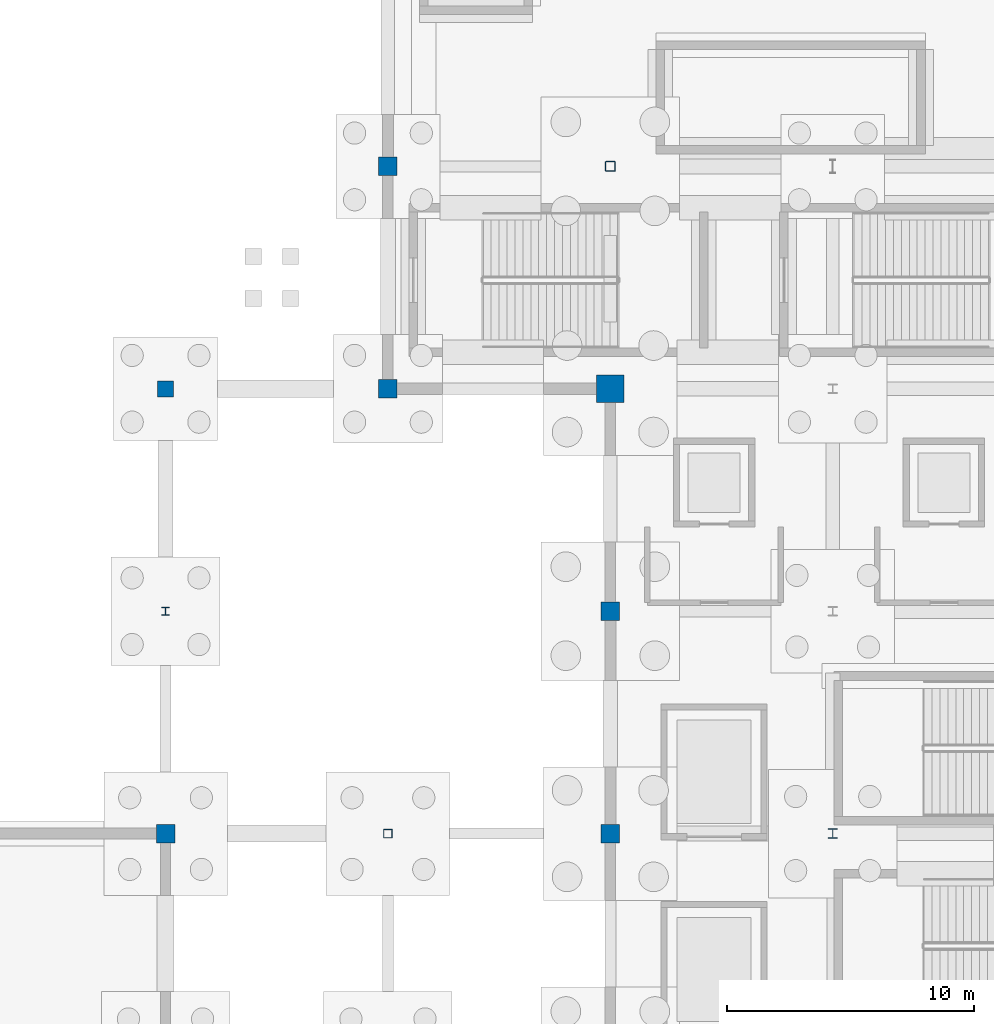
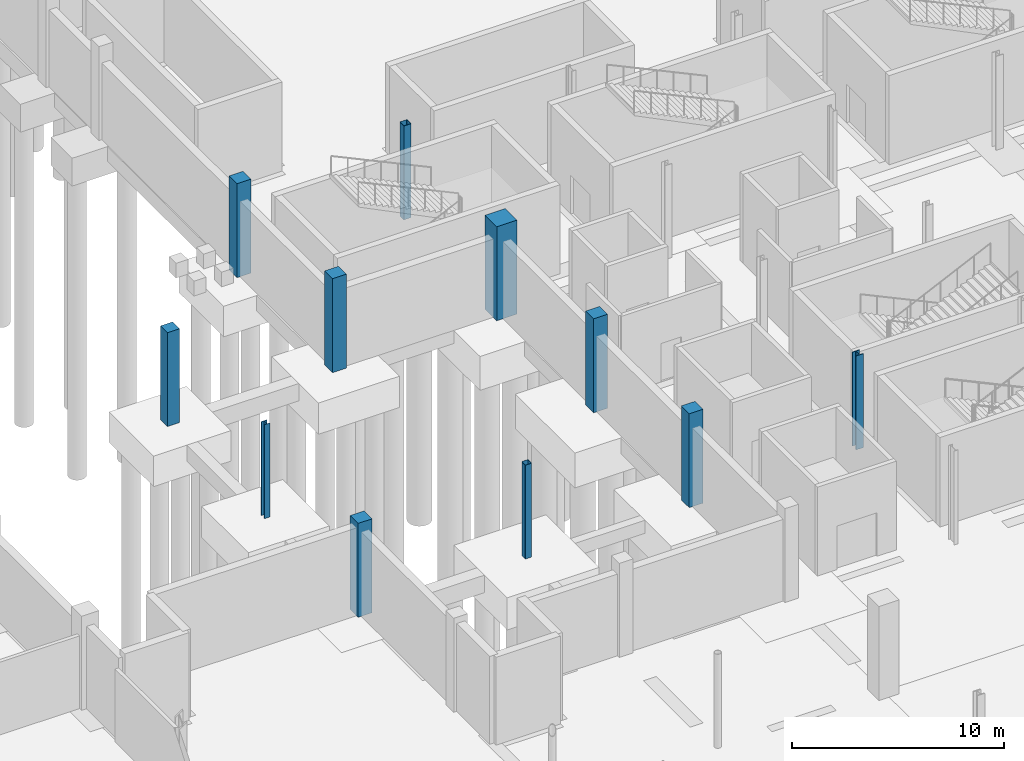
# One storey, part 31 of 58: 11 columns.
"""IFC4 building model written with IfcOpenShell, lengths in metres."""

from ifc_helpers import new_model, si_unit, direction, frame, origin, origin_2d, place, context, subcontext, project, spatial, rectangle, hollow_rectangle, i_section, extrude, material, material_profile, profile_set, type_object, element, save


model = new_model("IFC4")

# Units and contexts
model_context = context("Model", 3, precision=1e-05, world=origin(), true_north=direction((0.0, 1.0)))
body_context = subcontext(model_context, "Body", "Model", "MODEL_VIEW")
ifc_project = project(units=[si_unit("LENGTHUNIT", "METRE"), si_unit("AREAUNIT", "SQUARE_METRE"), si_unit("VOLUMEUNIT", "CUBIC_METRE"), si_unit("PLANEANGLEUNIT", "RADIAN"), si_unit("MASSUNIT", "GRAM", prefix="KILO")], contexts=[model_context])

# Site, building, storey
site_placement = place(None, origin())
site = spatial("IfcSite", under=ifc_project, at=site_placement, CompositionType="ELEMENT")
building_placement = place(site_placement, origin())
building = spatial("IfcBuilding", under=site, at=building_placement, Name="Qamarlyn Nura Convention Centre", CompositionType="ELEMENT")
storey_placement = place(building_placement, frame((0.0, 0.0, -5.39990234375)))
storey = spatial("IfcBuildingStorey", under=building, at=storey_placement, Name="B01", CompositionType="ELEMENT", Elevation=-5.39990234375)

# Columns
ifc_material_1 = material(Name="Steel ASTM A500 Grade C", Category="steel")
ifc_material_profile_1 = material_profile(ifc_material_1, hollow_rectangle(XDim=0.39990234375, YDim=0.39990234375, WallThickness=0.01611328125, InnerFilletRadius=0.01611328125, OuterFilletRadius=0.031982421875, at=origin_2d()), Name="HSS400X400X16")
ifc_profile_set_1 = profile_set([ifc_material_profile_1], Name="Steel ASTM A500 Grade C")
column_type_1 = type_object("IfcColumnType", Name="COL-HSS-1", PredefinedType="COLUMN", material=ifc_profile_set_1)
column_1_placement = place(storey_placement, frame((153.0, 90.0, 0.0), z_axis=(0.0, 0.0, 1.0), x_axis=(1.0, 0.0, 0.0)))
element("IfcColumn", 1, at=column_1_placement, inside=storey, type_object=column_type_1, Name="B01 column 13/L", PredefinedType="COLUMN", context=body_context, shape_type="SweptSolid", body=[
    extrude(hollow_rectangle(XDim=0.39990234375, YDim=0.39990234375, WallThickness=0.01611328125, InnerFilletRadius=0.01611328125, OuterFilletRadius=0.031982421875, at=origin_2d()), origin(), (0.0, 0.0, 1.0), 5.39990234375),
])
ifc_material_profile_2 = material_profile(ifc_material_1, hollow_rectangle(XDim=0.35009765625, YDim=0.35009765625, WallThickness=0.012451171875, InnerFilletRadius=0.012451171875, OuterFilletRadius=0.02490234375, at=origin_2d()), Name="HSS350X350X12.5")
ifc_profile_set_2 = profile_set([ifc_material_profile_2], Name="Steel ASTM A500 Grade C")
column_type_2 = type_object("IfcColumnType", Name="COL-HSS-2", PredefinedType="COLUMN", material=ifc_profile_set_2)
column_2_placement = place(storey_placement, frame((144.0, 63.0, 0.0), z_axis=(0.0, 0.0, 1.0), x_axis=(1.0, 0.0, 0.0)))
element("IfcColumn", 2, at=column_2_placement, inside=storey, type_object=column_type_2, Name="B01 column 12/H", PredefinedType="COLUMN", context=body_context, shape_type="SweptSolid", body=[
    extrude(hollow_rectangle(XDim=0.35009765625, YDim=0.35009765625, WallThickness=0.012451171875, InnerFilletRadius=0.012451171875, OuterFilletRadius=0.02490234375, at=origin_2d()), origin(), (0.0, 0.0, 1.0), 5.39990234375),
])
ifc_material_2 = material(Name="Concrete C50/60", Category="concrete")
ifc_material_profile_3 = material_profile(ifc_material_2, rectangle(XDim=1.10009765625, YDim=1.10009765625, at=origin_2d()), Name="RC 1100x1100")
ifc_profile_set_3 = profile_set([ifc_material_profile_3], Name="Concrete C50/60")
column_type_3 = type_object("IfcColumnType", Name="COL-MEGA-2", PredefinedType="COLUMN", material=ifc_profile_set_3)
column_3_placement = place(storey_placement, frame((153.0, 81.0, 0.0), z_axis=(0.0, 0.0, 1.0), x_axis=(1.0, 0.0, 0.0)))
element("IfcColumn", 3, at=column_3_placement, inside=storey, type_object=column_type_3, Name="B01 column 13/K", PredefinedType="COLUMN", context=body_context, shape_type="SweptSolid", body=[
    extrude(rectangle(XDim=1.10009765625, YDim=1.10009765625, at=origin_2d()), origin(), (0.0, 0.0, 1.0), 5.39990234375),
])
ifc_material_profile_4 = material_profile(ifc_material_2, rectangle(XDim=0.75, YDim=0.75, at=origin_2d()), Name="RC 750x750")
ifc_profile_set_4 = profile_set([ifc_material_profile_4], Name="Concrete C50/60")
column_type_4 = type_object("IfcColumnType", Name="COL-SUB-2", PredefinedType="COLUMN", material=ifc_profile_set_4)
for number, where, z_axis, x_axis, name in (
    (4, (135.0, 63.0, 0.0), (0.0, 0.0, 1.0), (1.0, 0.0, 0.0), "B01 column 11/H"),
    (5, (144.0, 81.0, 0.0), (0.0, 0.0, 1.0), (1.0, 0.0, 0.0), "B01 column 12/K"),
    (6, (144.0, 90.0, 0.0), (0.0, 0.0, 1.0), (1.0, 0.0, 0.0), "B01 column 12/L"),
    (7, (153.0, 63.0, 0.0), (0.0, 0.0, 1.0), (1.0, 0.0, 0.0), "B01 column 13/H"),
    (8, (153.0, 72.0, 0.0), (0.0, 0.0, 1.0), (1.0, 0.0, 0.0), "B01 column 13/J"),
):
    element("IfcColumn", number, at=place(storey_placement, frame(where, z_axis=z_axis, x_axis=x_axis)), inside=storey, type_object=column_type_4, Name=name, PredefinedType="COLUMN", context=body_context, shape_type="SweptSolid", body=[
        extrude(rectangle(XDim=0.75, YDim=0.75, at=origin_2d()), origin(), (0.0, 0.0, 1.0), 5.39990234375),
    ])
ifc_material_profile_5 = material_profile(ifc_material_2, rectangle(XDim=0.64990234375, YDim=0.64990234375, at=origin_2d()), Name="RC 650x650")
ifc_profile_set_5 = profile_set([ifc_material_profile_5], Name="Concrete C50/60")
column_type_5 = type_object("IfcColumnType", Name="COL-SUB-3", PredefinedType="COLUMN", material=ifc_profile_set_5)
column_4_placement = place(storey_placement, frame((135.0, 81.0, 0.0), z_axis=(0.0, 0.0, 1.0), x_axis=(1.0, 0.0, 0.0)))
element("IfcColumn", 9, at=column_4_placement, inside=storey, type_object=column_type_5, Name="B01 column 11/K", PredefinedType="COLUMN", context=body_context, shape_type="SweptSolid", body=[
    extrude(rectangle(XDim=0.64990234375, YDim=0.64990234375, at=origin_2d()), origin(), (0.0, 0.0, 1.0), 5.39990234375),
])
ifc_material_3 = material(Name="Steel ASTM A992", Category="steel")
ifc_material_profile_6 = material_profile(ifc_material_3, i_section(OverallWidth=0.39892578125, OverallDepth=0.39306640625, WebThickness=0.022705078125, FlangeThickness=0.03662109375, FilletRadius=0.01806640625, at=origin_2d()), Name="W360X287")
ifc_profile_set_6 = profile_set([ifc_material_profile_6], Name="Steel ASTM A992")
column_type_6 = type_object("IfcColumnType", Name="COL-WING-1", PredefinedType="COLUMN", material=ifc_profile_set_6)
column_5_placement = place(storey_placement, frame((162.0, 63.0, 0.0), z_axis=(0.0, 0.0, 1.0), x_axis=(1.0, 0.0, 0.0)))
element("IfcColumn", 10, at=column_5_placement, inside=storey, type_object=column_type_6, Name="B01 column 14/H", PredefinedType="COLUMN", context=body_context, shape_type="SweptSolid", body=[
    extrude(i_section(OverallWidth=0.39892578125, OverallDepth=0.39306640625, WebThickness=0.022705078125, FlangeThickness=0.03662109375, FilletRadius=0.01806640625, at=origin_2d()), origin(), (0.0, 0.0, 1.0), 5.39990234375),
])
ifc_material_profile_7 = material_profile(ifc_material_3, i_section(OverallWidth=0.304931640625, OverallDepth=0.30810546875, WebThickness=0.010009765625, FlangeThickness=0.015380859375, FilletRadius=0.014892578125, at=origin_2d()), Name="W310X97")
ifc_profile_set_7 = profile_set([ifc_material_profile_7], Name="Steel ASTM A992")
column_type_7 = type_object("IfcColumnType", Name="COL-WING-4", PredefinedType="COLUMN", material=ifc_profile_set_7)
column_6_placement = place(storey_placement, frame((135.0, 72.0, 0.0), z_axis=(0.0, 0.0, 1.0), x_axis=(1.0, 0.0, 0.0)))
element("IfcColumn", 11, at=column_6_placement, inside=storey, type_object=column_type_7, Name="B01 column 11/J", PredefinedType="COLUMN", context=body_context, shape_type="SweptSolid", body=[
    extrude(i_section(OverallWidth=0.304931640625, OverallDepth=0.30810546875, WebThickness=0.010009765625, FlangeThickness=0.015380859375, FilletRadius=0.014892578125, at=origin_2d()), origin(), (0.0, 0.0, 1.0), 5.39990234375),
])

save(model, "model.ifc")
